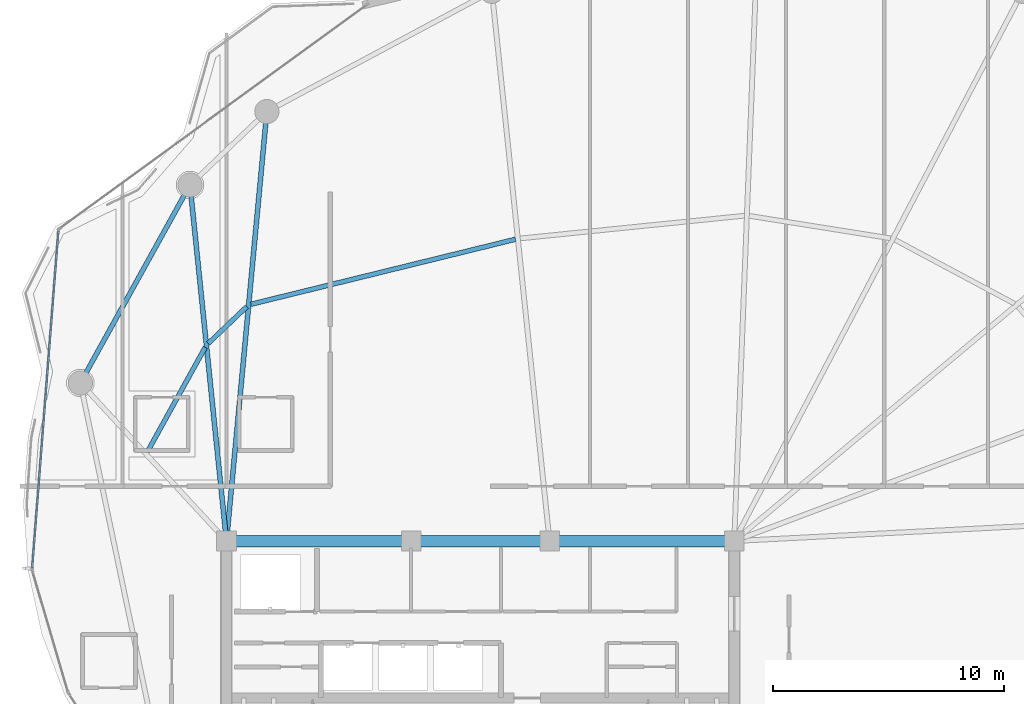
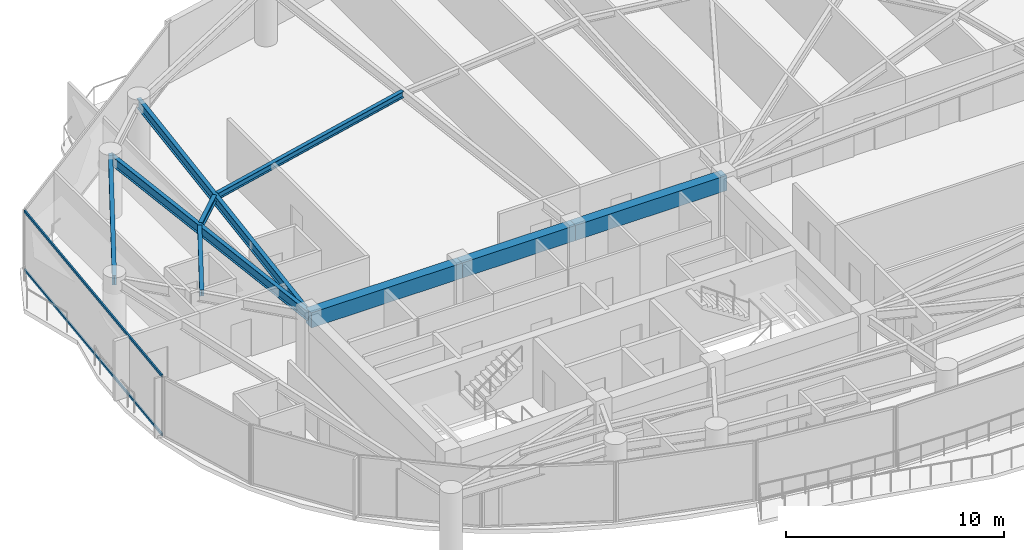
# One storey, part 9 of 31: 9 beams, 2 members, 1 element without a shape of its own.
"""IFC4 building model written with IfcOpenShell, lengths in metres."""

from ifc_helpers import new_model, si_unit, direction, frame, origin, origin_2d, place, context, subcontext, project, spatial, rectangle, hollow_rectangle, i_section, extrude, material, layer, layer_set, material_profile, profile_set, type_object, element, aggregate, save


model = new_model("IFC4")

# Units and contexts
model_context = context("Model", 3, precision=1e-05, world=origin(), true_north=direction((0.0, 1.0)))
body_context = subcontext(model_context, "Body", "Model", "MODEL_VIEW")
ifc_project = project(units=[si_unit("LENGTHUNIT", "METRE"), si_unit("AREAUNIT", "SQUARE_METRE"), si_unit("VOLUMEUNIT", "CUBIC_METRE"), si_unit("PLANEANGLEUNIT", "RADIAN"), si_unit("MASSUNIT", "GRAM", prefix="KILO")], contexts=[model_context])

# Site, building, storey
site_placement = place(None, origin())
site = spatial("IfcSite", under=ifc_project, at=site_placement, CompositionType="ELEMENT")
building_placement = place(site_placement, origin())
building = spatial("IfcBuilding", under=site, at=building_placement, Name="Kazevale Care Tower and Concert Hall", CompositionType="ELEMENT")
storey_placement = place(building_placement, frame((0.0, 0.0, 220.800048828125)))
storey = spatial("IfcBuildingStorey", under=building, at=storey_placement, Name="L58", CompositionType="ELEMENT", Elevation=220.800048828125)

# Curtain wall, members
ifc_material_1 = material(Name="Aluminium 6063-T6 and Low-E Glass", Category="aluminium")
ifc_layer = layer(ifc_material_1, 0.179931640625)
ifc_layer_set = layer_set([ifc_layer], Name="Aluminium 6063-T6 and Low-E Glass")
curtain_wall_type = type_object("IfcCurtainWallType", Name="Waist & Upper Residential Curtain Wall CW-4", PredefinedType="NOTDEFINED", material=ifc_layer_set)
curtain_wall_placement = place(storey_placement, origin())
curtain_wall = element("IfcCurtainWall", 1, at=curtain_wall_placement, inside=storey, type_object=curtain_wall_type, Name="cw:L58:f13", PredefinedType="NOTDEFINED")
ifc_material_2 = material(Name="Aluminium 6063-T6", Category="aluminium")
ifc_material_profile_1 = material_profile(ifc_material_2, hollow_rectangle(XDim=0.080078125, YDim=0.139892578125, WallThickness=0.00390625, at=origin_2d()), Name="ALU80x140x4")
ifc_profile_set_1 = profile_set([ifc_material_profile_1], Name="Aluminium 6063-T6")
member_type = type_object("IfcMemberType", Name="CW-4 Transom ALU80x140x4", PredefinedType="USERDEFINED", material=ifc_profile_set_1)
member_1_placement = place(storey_placement, frame((13.585205078125, 35.23681640625, 0.0400390625), z_axis=(0.077534740898, 0.996989650876, 0.0), x_axis=(-0.996989650876, 0.077534740898, 0.0)))
member_1 = element("IfcMember", 2, at=member_1_placement, type_object=member_type, Name="CW-4 transom 1.1", ObjectType="TRANSOM", PredefinedType="USERDEFINED", context=body_context, shape_type="SweptSolid", body=[
    extrude(hollow_rectangle(XDim=0.080078125, YDim=0.139892578125, WallThickness=0.00390625, at=origin_2d()), origin(), (0.0, 0.0, 1.0), 14.63232421875),
])
member_2_placement = place(storey_placement, frame((13.585205078125, 35.23681640625, 3.320068359375), z_axis=(0.077534740898, 0.996989650876, 0.0), x_axis=(-0.996989650876, 0.077534740898, 0.0)))
member_2 = element("IfcMember", 3, at=member_2_placement, type_object=member_type, Name="CW-4 transom 1.2", ObjectType="TRANSOM", PredefinedType="USERDEFINED", context=body_context, shape_type="SweptSolid", body=[
    extrude(hollow_rectangle(XDim=0.080078125, YDim=0.139892578125, WallThickness=0.00390625, at=origin_2d()), origin(), (0.0, 0.0, 1.0), 14.63232421875),
])
aggregate(curtain_wall, [member_1, member_2])

# Beams
ifc_material_3 = material(Name="Concrete C60", Category="concrete")
ifc_material_profile_2 = material_profile(ifc_material_3, rectangle(XDim=0.5, YDim=0.85009765625, at=origin_2d()), Name="RC-B500x850")
ifc_profile_set_2 = profile_set([ifc_material_profile_2], Name="Concrete C60")
beam_type_1 = type_object("IfcBeamType", Name="Core Coupling Beam RC500x850", PredefinedType="LINTEL", material=ifc_profile_set_2)
beam_1_placement = place(storey_placement, frame((44.0, 36.39990234375, 2.93505859375), z_axis=(-1.0, 0.0, 0.0), x_axis=(0.0, -1.0, 0.0)))
element("IfcBeam", 4, at=beam_1_placement, inside=storey, type_object=beam_type_1, Name="beam:L58:coretie:5", PredefinedType="LINTEL", context=body_context, shape_type="SweptSolid", body=[
    extrude(rectangle(XDim=0.5, YDim=0.85009765625, at=origin_2d()), origin(), (0.0, 0.0, 1.0), 8.0),
])
beam_2_placement = place(storey_placement, frame((36.0, 36.39990234375, 2.93505859375), z_axis=(-1.0, 0.0, 0.0), x_axis=(0.0, -1.0, 0.0)))
element("IfcBeam", 5, at=beam_2_placement, inside=storey, type_object=beam_type_1, Name="beam:L58:coretie:6", PredefinedType="LINTEL", context=body_context, shape_type="SweptSolid", body=[
    extrude(rectangle(XDim=0.5, YDim=0.85009765625, at=origin_2d()), origin(), (0.0, 0.0, 1.0), 6.0),
])
beam_3_placement = place(storey_placement, frame((30.0, 36.39990234375, 2.93505859375), z_axis=(-1.0, 0.0, 0.0), x_axis=(0.0, -1.0, 0.0)))
element("IfcBeam", 6, at=beam_3_placement, inside=storey, type_object=beam_type_1, Name="beam:L58:coretie:7", PredefinedType="LINTEL", context=body_context, shape_type="SweptSolid", body=[
    extrude(rectangle(XDim=0.5, YDim=0.85009765625, at=origin_2d()), origin(), (0.0, 0.0, 1.0), 8.0),
])
ifc_material_4 = material(Name="Steel ASTM A572 Gr 50", Category="steel")
ifc_material_profile_3 = material_profile(ifc_material_4, i_section(OverallWidth=0.2119140625, OverallDepth=0.5439453125, WebThickness=0.01318359375, FlangeThickness=0.021240234375, at=origin_2d()), Name="W530x123")
ifc_profile_set_3 = profile_set([ifc_material_profile_3], Name="Steel ASTM A572 Gr 50")
beam_type_2 = type_object("IfcBeamType", Name="Radial Floor Girder W530x123", PredefinedType="BEAM", material=ifc_profile_set_3)
beam_4_placement = place(storey_placement, frame((22.0, 36.39990234375, 3.087890625), z_axis=(0.093621904075, 0.995607823933, 0.0), x_axis=(-0.995607823933, 0.093621904075, 0.0)))
element("IfcBeam", 7, at=beam_4_placement, inside=storey, type_object=beam_type_2, Name="beam:L58:rad:07", PredefinedType="BEAM", context=body_context, shape_type="SweptSolid", body=[
    extrude(i_section(OverallWidth=0.2119140625, OverallDepth=0.5439453125, WebThickness=0.01318359375, FlangeThickness=0.021240234375, at=origin_2d()), origin(), (0.0, 0.0, 1.0), 18.692138671875),
])
beam_5_placement = place(storey_placement, frame((22.0, 36.39990234375, 3.087890625), z_axis=(-0.101869109083, 0.994797810922, 0.0), x_axis=(-0.994797810922, -0.101869109083, 0.0)))
element("IfcBeam", 8, at=beam_5_placement, inside=storey, type_object=beam_type_2, Name="beam:L58:rad:08", PredefinedType="BEAM", context=body_context, shape_type="SweptSolid", body=[
    extrude(i_section(OverallWidth=0.2119140625, OverallDepth=0.5439453125, WebThickness=0.01318359375, FlangeThickness=0.021240234375, at=origin_2d()), origin(), (0.0, 0.0, 1.0), 15.510986328125),
])
ifc_material_profile_4 = material_profile(ifc_material_4, i_section(OverallWidth=0.205078125, OverallDepth=0.35400390625, WebThickness=0.009521484375, FlangeThickness=0.016845703125, at=origin_2d()), Name="W360x79")
ifc_profile_set_4 = profile_set([ifc_material_profile_4], Name="Steel ASTM A572 Gr 50")
beam_type_3 = type_object("IfcBeamType", Name="Secondary Floor Joist W360x79", PredefinedType="JOIST", material=ifc_profile_set_4)
beam_6_placement = place(storey_placement, frame((34.52294921875, 49.47607421875, 3.182861328125), z_axis=(-0.971122715177, -0.238580535809, 0.0), x_axis=(0.238580535809, -0.971122715177, 0.0)))
element("IfcBeam", 9, at=beam_6_placement, inside=storey, type_object=beam_type_3, Name="beam:L58:joist:06", PredefinedType="JOIST", context=body_context, shape_type="SweptSolid", body=[
    extrude(i_section(OverallWidth=0.205078125, OverallDepth=0.35400390625, WebThickness=0.009521484375, FlangeThickness=0.016845703125, at=origin_2d()), origin(), (0.0, 0.0, 1.0), 11.7998046875),
])
beam_7_placement = place(storey_placement, frame((22.886962890625, 46.56298828125, 3.182861328125), z_axis=(-0.723262472539, -0.690573237114, 0.0), x_axis=(0.690573237114, -0.723262472539, 0.0)))
element("IfcBeam", 10, at=beam_7_placement, inside=storey, type_object=beam_type_3, Name="beam:L58:joist:07", PredefinedType="JOIST", context=body_context, shape_type="SweptSolid", body=[
    extrude(i_section(OverallWidth=0.205078125, OverallDepth=0.35400390625, WebThickness=0.009521484375, FlangeThickness=0.016845703125, at=origin_2d()), origin(), (0.0, 0.0, 1.0), 2.32275390625),
])
beam_8_placement = place(storey_placement, frame((21.080078125, 44.794921875, 3.182861328125), z_axis=(-0.484322963201, -0.874889288605, 0.0), x_axis=(0.874889288605, -0.484322963201, 0.0)))
element("IfcBeam", 11, at=beam_8_placement, inside=storey, type_object=beam_type_3, Name="beam:L58:joist:08", PredefinedType="JOIST", context=body_context, shape_type="SweptSolid", body=[
    extrude(i_section(OverallWidth=0.205078125, OverallDepth=0.35400390625, WebThickness=0.009521484375, FlangeThickness=0.016845703125, at=origin_2d()), origin(), (0.0, 0.0, 1.0), 5.1845703125),
])
ifc_material_profile_5 = material_profile(ifc_material_4, i_section(OverallWidth=0.208984375, OverallDepth=0.532958984375, WebThickness=0.01025390625, FlangeThickness=0.015625, at=origin_2d()), Name="W530x92")
ifc_profile_set_5 = profile_set([ifc_material_profile_5], Name="Steel ASTM A572 Gr 50")
beam_type_4 = type_object("IfcBeamType", Name="Upper Ring Beam W530x92", PredefinedType="BEAM", material=ifc_profile_set_5)
beam_9_placement = place(storey_placement, frame((20.419921875, 51.830078125, 3.093505859375), z_axis=(-0.484340382014, -0.874879645637, 0.0), x_axis=(0.874879645637, -0.484340382014, 0.0)))
element("IfcBeam", 12, at=beam_9_placement, inside=storey, type_object=beam_type_4, Name="beam:L58:ring:08", PredefinedType="BEAM", context=body_context, shape_type="SweptSolid", body=[
    extrude(i_section(OverallWidth=0.208984375, OverallDepth=0.532958984375, WebThickness=0.01025390625, FlangeThickness=0.015625, at=origin_2d()), origin(), (0.0, 0.0, 1.0), 9.80712890625),
])

save(model, "model.ifc")
